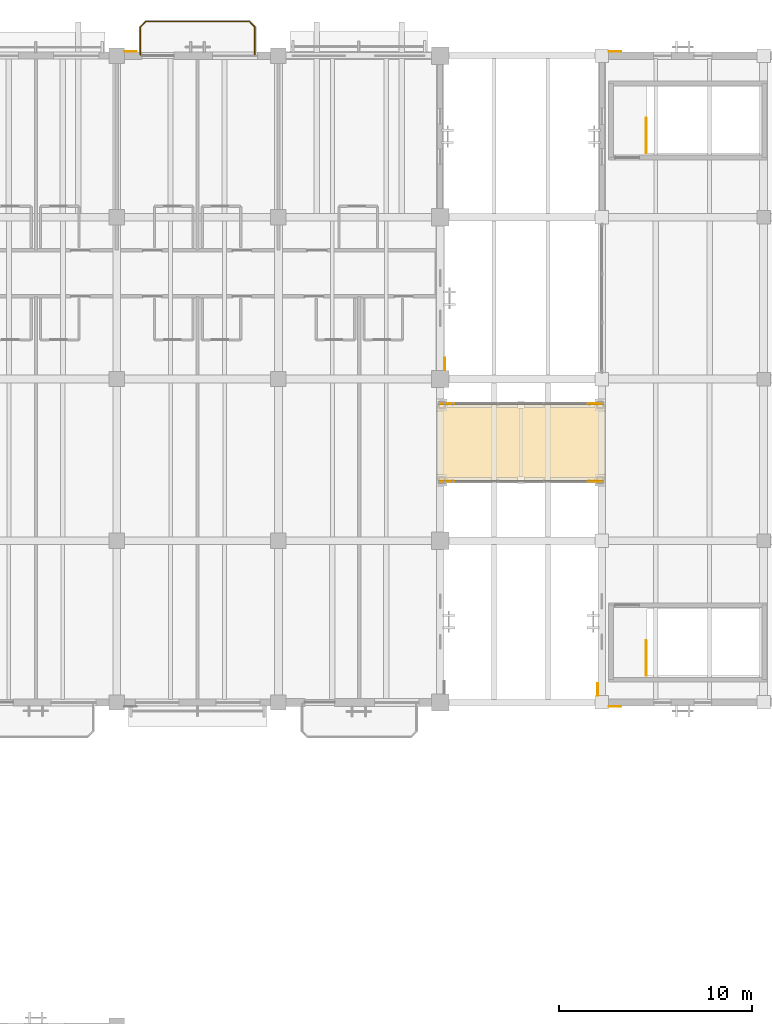
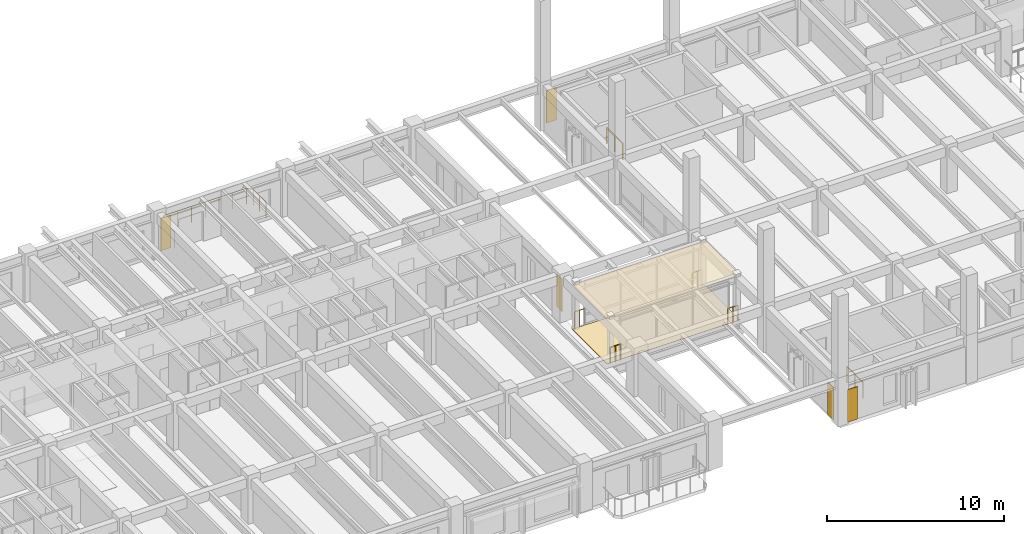
# One storey, part 119 of 123: 7 coverings, 7 railings.
"""IFC4 building model written with IfcOpenShell, lengths in metres."""

from ifc_helpers import new_model, si_unit, direction, frame, origin, origin_2d, place, context, subcontext, project, spatial, polyline, circle, outline, extrude, material, layer, layer_set, type_object, element, save


model = new_model("IFC4")

# Units and contexts
model_context = context("Model", 3, precision=1e-05, world=origin(), true_north=direction((0.0, 1.0)))
body_context = subcontext(model_context, "Body", "Model", "MODEL_VIEW")
ifc_project = project(units=[si_unit("LENGTHUNIT", "METRE"), si_unit("AREAUNIT", "SQUARE_METRE"), si_unit("VOLUMEUNIT", "CUBIC_METRE"), si_unit("PLANEANGLEUNIT", "RADIAN"), si_unit("MASSUNIT", "GRAM", prefix="KILO")], contexts=[model_context])

# Site, building, storey
site_placement = place(None, origin())
site = spatial("IfcSite", under=ifc_project, at=site_placement, CompositionType="ELEMENT")
building_placement = place(site_placement, origin())
building = spatial("IfcBuilding", under=site, at=building_placement, Name="Cumbredor Promenade Congress Hotel", CompositionType="ELEMENT")
storey_placement = place(building_placement, frame((0.0, 0.0, 11.760009765625)))
storey = spatial("IfcBuildingStorey", under=building, at=storey_placement, Name="L03", CompositionType="ELEMENT", Elevation=11.760009765625)

# Coverings
ifc_material_1 = material(Name="Acoustic mineral-fiber and gypsum ceiling")
ifc_layer_1 = layer(ifc_material_1, 0.01806640625, Name="Acoustic mineral-fiber and gypsum ceiling")
ifc_layer_set_1 = layer_set([ifc_layer_1], Name="Acoustic mineral-fiber and gypsum ceiling")
covering_type_1 = type_object("IfcCoveringType", Name="Acoustic Perforated Gypsum Ceiling CLG-01 18mm", PredefinedType="CEILING", material=ifc_layer_set_1)
covering_1_placement = place(storey_placement, frame((0.0, 0.0, 3.10205078125)))
element("IfcCovering", 1, at=covering_1_placement, inside=storey, type_object=covering_type_1, Name="L03 North Hotel-to-Forum Glazed Bridge Concourse Acoustic Ceiling", PredefinedType="CEILING", context=body_context, shape_type="SweptSolid", body=[
    extrude(outline(polyline([(92.5400390625, 99.469970703125), (92.5400390625, 95.530029296875), (83.860107421875, 95.530029296875), (83.860107421875, 99.469970703125), (92.5400390625, 99.469970703125)])), origin(), (0.0, 0.0, 1.0), 0.017822265625),
])
ifc_material_2 = material(Name="Precast concrete C40/50", Category="concrete")
ifc_layer_2 = layer(ifc_material_2, 0.044921875, Name="Precast concrete C40/50", Category="concrete")
ifc_layer_set_2 = layer_set([ifc_layer_2], Name="Precast concrete C40/50")
covering_type_2 = type_object("IfcCoveringType", Name="Board-Formed Architectural Cladding Panel 45mm", PredefinedType="CLADDING", material=ifc_layer_set_2)
covering_2_placement = place(storey_placement, origin())
element("IfcCovering", 2, at=covering_2_placement, inside=storey, type_object=covering_type_2, Name="L03 Facade Stone Cladding Pier 148", PredefinedType="CLADDING", context=body_context, shape_type="SweptSolid", body=[
    extrude(outline(polyline([(92.2099609375, 84.35107421875), (92.2099609375, 85.0009765625), (92.1650390625, 85.0009765625), (92.1650390625, 84.35107421875), (92.2099609375, 84.35107421875)])), origin(), (0.0, 0.0, 1.0), 2.25),
])

# Railings
ifc_material_3 = material(Name="Brushed stainless steel", Category="steel")
railing_type_1 = type_object("IfcRailingType", Name="Interior Void & Stair Guardrail GR-1100", PredefinedType="GUARDRAIL", material=ifc_material_3)
for number, where, name in (
    (3, (94.699951171875, 85.39990234375, 0.0), "L03 ST-13 top well guard 1"),
    (4, (94.699951171875, 112.550048828125, 0.0), "L03 ST-15 top well guard 1"),
):
    element("IfcRailing", number, at=place(storey_placement, frame(where)), inside=storey, type_object=railing_type_1, Name=name, PredefinedType="GUARDRAIL", context=body_context, shape_type="SweptSolid", body=[
        extrude(circle(Radius=0.02392578125, at=origin_2d()), frame((0.0, 0.0, 1.09619140625), z_axis=(0.0, 1.0, 0.0), x_axis=(-1.0, 0.0, 0.0)), (0.0, 0.0, 1.0), 1.800048828125),
        extrude(circle(Radius=0.02099609375, at=origin_2d()), origin(), (0.0, 0.0, 1.0), 1.072021484375),
        extrude(circle(Radius=0.02099609375, at=origin_2d()), frame((0.0, 0.89990234375, 0.0)), (0.0, 0.0, 1.0), 1.072021484375),
        extrude(circle(Radius=0.02099609375, at=origin_2d()), frame((0.0, 1.800048828125, 0.0)), (0.0, 0.0, 1.0), 1.072021484375),
    ])

# Covering
ifc_material_4 = material(Name="Porcelain stoneware tile", Category="masonry")
ifc_layer_3 = layer(ifc_material_4, 0.02490234375, Name="Porcelain stoneware tile", Category="masonry")
ifc_layer_set_3 = layer_set([ifc_layer_3], Name="Porcelain stoneware tile")
covering_type_3 = type_object("IfcCoveringType", Name="Porcelain Stoneware Flooring FLR-02 25mm", PredefinedType="FLOORING", material=ifc_layer_set_3)
covering_3_placement = place(storey_placement, origin())
element("IfcCovering", 5, at=covering_3_placement, inside=storey, type_object=covering_type_3, Name="L03 North Hotel-to-Forum Glazed Bridge Concourse Porcelain Flooring", PredefinedType="FLOORING", context=body_context, shape_type="SweptSolid", body=[
    extrude(outline(polyline([(92.5400390625, 99.469970703125), (92.5400390625, 95.530029296875), (83.860107421875, 95.530029296875), (83.860107421875, 99.469970703125), (92.5400390625, 99.469970703125)])), origin(), (0.0, 0.0, 1.0), 0.02490234375),
])

# Railings
railing_type_2 = type_object("IfcRailingType", Name="Sky Garden Glass-and-Steel Balustrade BAL-1150", PredefinedType="BALUSTRADE", material=ifc_material_3)
for number, where, name in (
    (6, (84.030029296875, 95.47998046875, 0.0), "L03 North Hotel-to-Forum Glazed Bridge End Guardrail WS"),
    (7, (84.030029296875, 99.52001953125, 0.0), "L03 North Hotel-to-Forum Glazed Bridge End Guardrail WN"),
):
    element("IfcRailing", number, at=place(storey_placement, frame(where)), inside=storey, type_object=railing_type_2, Name=name, PredefinedType="BALUSTRADE", context=body_context, shape_type="SweptSolid", body=[
        extrude(circle(Radius=0.02392578125, at=origin_2d()), frame((0.0, 0.0, 1.1259765625), z_axis=(1.0, 0.0, 0.0), x_axis=(0.0, 1.0, 0.0)), (0.0, 0.0, 1.0), 0.669921875),
        extrude(circle(Radius=0.02099609375, at=origin_2d()), origin(), (0.0, 0.0, 1.0), 1.101806640625),
        extrude(circle(Radius=0.02099609375, at=origin_2d()), frame((0.3349609375, 0.0, 0.0)), (0.0, 0.0, 1.0), 1.101806640625),
        extrude(circle(Radius=0.02099609375, at=origin_2d()), frame((0.669921875, 0.0, 0.0)), (0.0, 0.0, 1.0), 1.101806640625),
    ])
for number, where, name in (
    (8, (91.699951171875, 95.47998046875, 0.0), "L03 North Hotel-to-Forum Glazed Bridge End Guardrail ES"),
    (9, (91.699951171875, 99.52001953125, 0.0), "L03 North Hotel-to-Forum Glazed Bridge End Guardrail EN"),
):
    element("IfcRailing", number, at=place(storey_placement, frame(where)), inside=storey, type_object=railing_type_2, Name=name, PredefinedType="BALUSTRADE", context=body_context, shape_type="SweptSolid", body=[
        extrude(circle(Radius=0.02392578125, at=origin_2d()), frame((0.0, 0.0, 1.1259765625), z_axis=(1.0, 0.0, 0.0), x_axis=(0.0, 1.0, 0.0)), (0.0, 0.0, 1.0), 0.670166015625),
        extrude(circle(Radius=0.02099609375, at=origin_2d()), origin(), (0.0, 0.0, 1.0), 1.101806640625),
        extrude(circle(Radius=0.02099609375, at=origin_2d()), frame((0.3349609375, 0.0, 0.0)), (0.0, 0.0, 1.0), 1.101806640625),
        extrude(circle(Radius=0.02099609375, at=origin_2d()), frame((0.670166015625, 0.0, 0.0)), (0.0, 0.0, 1.0), 1.101806640625),
    ])
railing_type_3 = type_object("IfcRailingType", Name="Terrace Perimeter Balustrade BAL-1120", PredefinedType="BALUSTRADE", material=ifc_material_3)
railing_placement = place(storey_placement, frame((68.429931640625, 117.64990234375, 0.0)))
element("IfcRailing", 10, at=railing_placement, inside=storey, type_object=railing_type_3, Name="L03 Veranda Balcony Balustrade 015", PredefinedType="BALUSTRADE", context=body_context, shape_type="SweptSolid", body=[
    extrude(circle(Radius=0.02392578125, at=origin_2d()), frame((0.0, 0.0, 1.09619140625), z_axis=(0.0, 1.0, 0.0), x_axis=(-1.0, 0.0, 0.0)), (0.0, 0.0, 1.0), 1.440185546875),
    extrude(circle(Radius=0.02392578125, at=origin_2d()), frame((0.0, 1.440185546875, 1.09619140625), z_axis=(0.707106781187, 0.707106781187, 0.0), x_axis=(-0.707106781187, 0.707106781187, 0.0)), (0.0, 0.0, 1.0), 0.39599609375),
    extrude(circle(Radius=0.02392578125, at=origin_2d()), frame((0.280029296875, 1.72021484375, 1.09619140625), z_axis=(1.0, 0.0, 0.0), x_axis=(0.0, 1.0, 0.0)), (0.0, 0.0, 1.0), 5.380126953125),
    extrude(circle(Radius=0.02392578125, at=origin_2d()), frame((5.66015625, 1.72021484375, 1.09619140625), z_axis=(0.707106781187, -0.707106781187, 0.0), x_axis=(0.707106781187, 0.707106781187, 0.0)), (0.0, 0.0, 1.0), 0.39599609375),
    extrude(circle(Radius=0.02392578125, at=origin_2d()), frame((5.940185546875, 1.440185546875, 1.09619140625), z_axis=(0.0, -1.0, 0.0), x_axis=(1.0, 0.0, 0.0)), (0.0, 0.0, 1.0), 1.440185546875),
    extrude(circle(Radius=0.02099609375, at=origin_2d()), origin(), (0.0, 0.0, 1.0), 1.072021484375),
    extrude(circle(Radius=0.02099609375, at=origin_2d()), frame((0.0, 0.72021484375, 0.0)), (0.0, 0.0, 1.0), 1.072021484375),
    extrude(circle(Radius=0.02099609375, at=origin_2d()), frame((0.0, 1.440185546875, 0.0)), (0.0, 0.0, 1.0), 1.072021484375),
    extrude(circle(Radius=0.02099609375, at=origin_2d()), frame((0.280029296875, 1.72021484375, 0.0)), (0.0, 0.0, 1.0), 1.072021484375),
    extrude(circle(Radius=0.02099609375, at=origin_2d()), frame((1.1767578125, 1.72021484375, 0.0)), (0.0, 0.0, 1.0), 1.072021484375),
    extrude(circle(Radius=0.02099609375, at=origin_2d()), frame((2.073486328125, 1.72021484375, 0.0)), (0.0, 0.0, 1.0), 1.072021484375),
    extrude(circle(Radius=0.02099609375, at=origin_2d()), frame((2.97021484375, 1.72021484375, 0.0)), (0.0, 0.0, 1.0), 1.072021484375),
    extrude(circle(Radius=0.02099609375, at=origin_2d()), frame((3.86669921875, 1.72021484375, 0.0)), (0.0, 0.0, 1.0), 1.072021484375),
    extrude(circle(Radius=0.02099609375, at=origin_2d()), frame((4.763427734375, 1.72021484375, 0.0)), (0.0, 0.0, 1.0), 1.072021484375),
    extrude(circle(Radius=0.02099609375, at=origin_2d()), frame((5.66015625, 1.72021484375, 0.0)), (0.0, 0.0, 1.0), 1.072021484375),
    extrude(circle(Radius=0.02099609375, at=origin_2d()), frame((5.940185546875, 1.440185546875, 0.0)), (0.0, 0.0, 1.0), 1.072021484375),
    extrude(circle(Radius=0.02099609375, at=origin_2d()), frame((5.940185546875, 0.72021484375, 0.0)), (0.0, 0.0, 1.0), 1.072021484375),
    extrude(circle(Radius=0.02099609375, at=origin_2d()), frame((5.940185546875, 0.0, 0.0)), (0.0, 0.0, 1.0), 1.072021484375),
])

# Coverings
ifc_material_5 = material(Name="Volcanic andesite ashlar cladding", Category="masonry")
ifc_layer_4 = layer(ifc_material_5, 0.034912109375, Name="Volcanic andesite ashlar cladding", Category="masonry")
ifc_layer_set_4 = layer_set([ifc_layer_4], Name="Volcanic andesite ashlar cladding")
covering_type_4 = type_object("IfcCoveringType", Name="Volcanic Andesite Ashlar Rainscreen Cladding 35mm", PredefinedType="CLADDING", material=ifc_layer_set_4)
covering_4_placement = place(storey_placement, origin())
element("IfcCovering", 11, at=covering_4_placement, inside=storey, type_object=covering_type_4, Name="L03 Facade Stone Cladding Pier 141", PredefinedType="CLADDING", context=body_context, shape_type="SweptSolid", body=[
    extrude(outline(polyline([(92.7509765625, 83.81005859375), (93.40087890625, 83.81005859375), (93.40087890625, 83.77490234375), (92.7509765625, 83.77490234375), (92.7509765625, 83.81005859375)])), origin(), (0.0, 0.0, 1.0), 2.25),
])
covering_5_placement = place(storey_placement, origin())
element("IfcCovering", 12, at=covering_5_placement, inside=storey, type_object=covering_type_4, Name="L03 Facade Stone Cladding Pier 143", PredefinedType="CLADDING", context=body_context, shape_type="SweptSolid", body=[
    extrude(outline(polyline([(92.7509765625, 117.7900390625), (93.40087890625, 117.7900390625), (93.40087890625, 117.824951171875), (92.7509765625, 117.824951171875), (92.7509765625, 117.7900390625)])), origin(), (0.0, 0.0, 1.0), 2.25),
])
covering_6_placement = place(storey_placement, origin())
element("IfcCovering", 13, at=covering_6_placement, inside=storey, type_object=covering_type_4, Name="L03 Facade Stone Cladding Pier 159", PredefinedType="CLADDING", context=body_context, shape_type="SweptSolid", body=[
    extrude(outline(polyline([(67.60107421875, 117.7900390625), (68.2509765625, 117.7900390625), (68.2509765625, 117.824951171875), (67.60107421875, 117.824951171875), (67.60107421875, 117.7900390625)])), origin(), (0.0, 0.0, 1.0), 2.25),
])
covering_7_placement = place(storey_placement, origin())
element("IfcCovering", 14, at=covering_7_placement, inside=storey, type_object=covering_type_4, Name="L03 Facade Stone Cladding Pier 163", PredefinedType="CLADDING", context=body_context, shape_type="SweptSolid", body=[
    extrude(outline(polyline([(84.22509765625, 101.2509765625), (84.22509765625, 101.90087890625), (84.260009765625, 101.90087890625), (84.260009765625, 101.2509765625), (84.22509765625, 101.2509765625)])), origin(), (0.0, 0.0, 1.0), 2.25),
])

save(model, "model.ifc")
